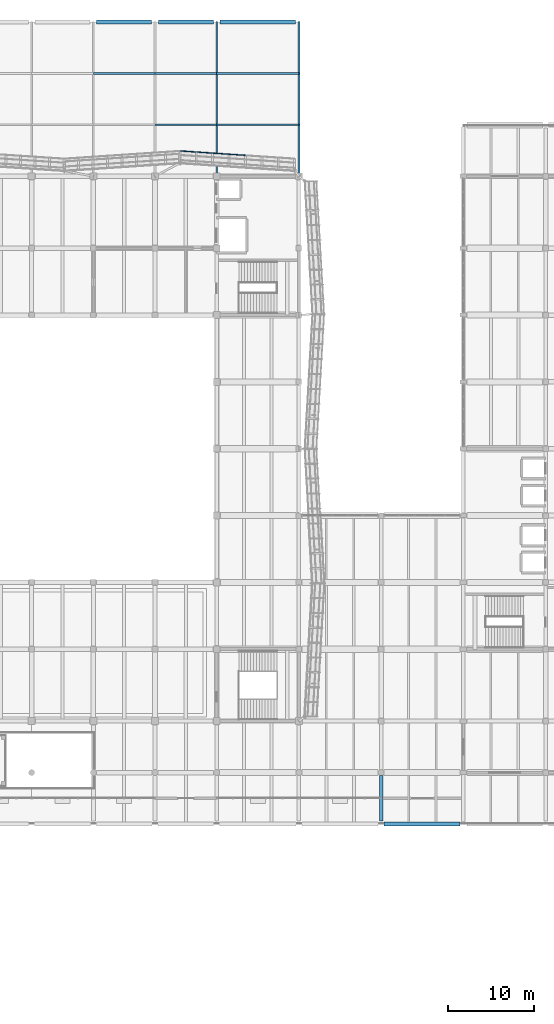
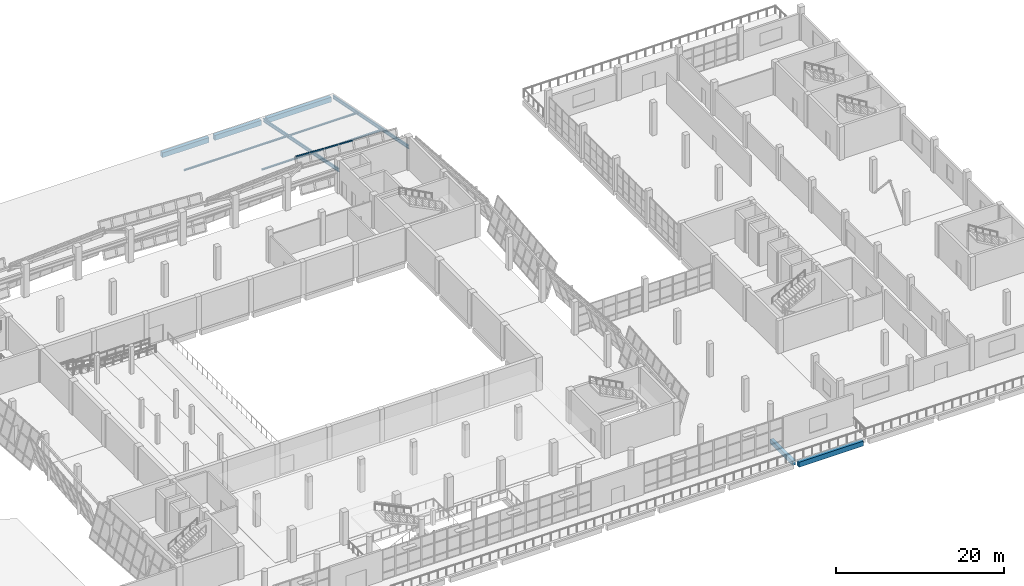
# One storey, part 32 of 79: 9 members, 7 beams, 1 element without a shape of its own.
"""IFC4 building model written with IfcOpenShell, lengths in metres."""

from ifc_helpers import new_model, si_unit, direction, frame, origin, origin_2d, place, context, subcontext, project, spatial, rectangle, hollow_rectangle, i_section, extrude, material, material_profile, profile_set, type_object, element, aggregate, save


model = new_model("IFC4")

# Units and contexts
model_context = context("Model", 3, precision=1e-05, world=origin(), true_north=direction((0.0, 1.0)))
body_context = subcontext(model_context, "Body", "Model", "MODEL_VIEW")
ifc_project = project(units=[si_unit("LENGTHUNIT", "METRE"), si_unit("AREAUNIT", "SQUARE_METRE"), si_unit("VOLUMEUNIT", "CUBIC_METRE"), si_unit("PLANEANGLEUNIT", "RADIAN"), si_unit("MASSUNIT", "GRAM", prefix="KILO")], contexts=[model_context])

# Site, building, storey
site_placement = place(None, origin())
site = spatial("IfcSite", under=ifc_project, at=site_placement, CompositionType="ELEMENT")
building_placement = place(site_placement, origin())
building = spatial("IfcBuilding", under=site, at=building_placement, Name="Pellamere Symphony Hall", CompositionType="ELEMENT")
storey_placement = place(building_placement, frame((0.0, 0.0, 10.199951171875)))
storey = spatial("IfcBuildingStorey", under=building, at=storey_placement, Name="L02", CompositionType="ELEMENT", Elevation=10.199951171875)

# Curtain wall, members
ifc_material_1 = material(Name="Thermally Broken Anodised Aluminium 6063-T6 Curtain Wall", Category="aluminium")
curtain_wall_type = type_object("IfcCurtainWallType", Name="Curtain Wall CW-01 (Tilted Faceted Crystal Low-Iron Curtain Wall)", PredefinedType="NOTDEFINED", material=ifc_material_1)
curtain_wall_placement = place(storey_placement, origin())
curtain_wall = element("IfcCurtainWall", 1, at=curtain_wall_placement, inside=storey, type_object=curtain_wall_type, Name="Crystal Faceted Curtain Wall CW-CR10 (L02)", PredefinedType="NOTDEFINED")
ifc_material_2 = material(Name="Anodised Architectural Aluminium 6063-T6", Category="aluminium")
ifc_material_profile_1 = material_profile(ifc_material_2, hollow_rectangle(XDim=0.074951171875, YDim=0.179931640625, WallThickness=0.0048828125, at=origin_2d()), Name="ALU-T75X180X5")
ifc_profile_set_1 = profile_set([ifc_material_profile_1], Name="Anodised Architectural Aluminium 6063-T6")
member_type_1 = type_object("IfcMemberType", Name="Curtain Wall Transom TR-01 ALU-T75X180X5", PredefinedType="USERDEFINED", material=ifc_profile_set_1)
member_1_placement = place(storey_placement, frame((112.519775390625, 96.04931640625, 4.76416015625), z_axis=(-0.997752815695, 0.067002378864, 0.0), x_axis=(-0.067002378864, -0.997752815695, 0.0)))
member_1 = element("IfcMember", 2, at=member_1_placement, type_object=member_type_1, Name="CW1-022 crystal transom 4.4", ObjectType="TRANSOM", PredefinedType="USERDEFINED", context=body_context, shape_type="SweptSolid", body=[
    extrude(hollow_rectangle(XDim=0.074951171875, YDim=0.179931640625, WallThickness=0.0048828125, at=origin_2d()), origin(), (0.0, 0.0, 1.0), 1.84375),
])
member_2_placement = place(storey_placement, frame((110.60546875, 96.177978515625, 4.76416015625), z_axis=(-0.997752815695, 0.067002378864, 0.0), x_axis=(-0.067002378864, -0.997752815695, 0.0)))
member_2 = element("IfcMember", 3, at=member_2_placement, type_object=member_type_1, Name="CW1-022 crystal transom 5.4", ObjectType="TRANSOM", PredefinedType="USERDEFINED", context=body_context, shape_type="SweptSolid", body=[
    extrude(hollow_rectangle(XDim=0.074951171875, YDim=0.179931640625, WallThickness=0.0048828125, at=origin_2d()), origin(), (0.0, 0.0, 1.0), 1.84375),
])
member_3_placement = place(storey_placement, frame((108.691162109375, 96.306640625, 4.76416015625), z_axis=(-0.99775222112, 0.067011232265, 0.0), x_axis=(-0.067011232265, -0.99775222112, 0.0)))
member_3 = element("IfcMember", 4, at=member_3_placement, type_object=member_type_1, Name="CW1-022 crystal transom 6.4", ObjectType="TRANSOM", PredefinedType="USERDEFINED", context=body_context, shape_type="SweptSolid", body=[
    extrude(hollow_rectangle(XDim=0.074951171875, YDim=0.179931640625, WallThickness=0.0048828125, at=origin_2d()), origin(), (0.0, 0.0, 1.0), 1.843505859375),
])
member_4_placement = place(storey_placement, frame((106.77685546875, 96.43505859375, 4.76416015625), z_axis=(-0.997749727577, 0.067048349123, 0.0), x_axis=(-0.067048349123, -0.997749727577, 0.0)))
member_4 = element("IfcMember", 5, at=member_4_placement, type_object=member_type_1, Name="CW1-022 crystal transom 7.4", ObjectType="TRANSOM", PredefinedType="USERDEFINED", context=body_context, shape_type="SweptSolid", body=[
    extrude(hollow_rectangle(XDim=0.074951171875, YDim=0.179931640625, WallThickness=0.0048828125, at=origin_2d()), origin(), (0.0, 0.0, 1.0), 1.80615234375),
])
aggregate(curtain_wall, [member_1, member_2, member_3, member_4])

# Beams
ifc_material_3 = material(Name="Concrete 40 MPa", Category="concrete")
ifc_material_profile_2 = material_profile(ifc_material_3, rectangle(XDim=0.449951171875, YDim=0.64990234375, at=origin_2d()), Name="RC 450x650")
ifc_profile_set_2 = profile_set([ifc_material_profile_2], Name="Concrete 40 MPa")
beam_type_1 = type_object("IfcBeamType", Name="RC CB-08 450x650", PredefinedType="BEAM", material=ifc_profile_set_2)
beam_1_placement = place(storey_placement, frame((128.39990234375, 18.35009765625, -0.60498046875), z_axis=(0.0, 1.0, 0.0), x_axis=(-1.0, 0.0, 0.0)))
element("IfcBeam", 6, at=beam_1_placement, inside=storey, type_object=beam_type_1, Name="Girder CB-08-Y1338 (L02)", PredefinedType="BEAM", context=body_context, shape_type="SweptSolid", body=[
    extrude(rectangle(XDim=0.449951171875, YDim=0.64990234375, at=origin_2d()), origin(), (0.0, 0.0, 1.0), 5.2998046875),
])
ifc_material_profile_3 = material_profile(ifc_material_3, rectangle(XDim=0.47998046875, YDim=0.719970703125, at=origin_2d()), Name="RC 480x720")
ifc_profile_set_3 = profile_set([ifc_material_profile_3], Name="Concrete 40 MPa")
beam_type_2 = type_object("IfcBeamType", Name="RC CB-14 480x720", PredefinedType="SPANDREL", material=ifc_profile_set_3)
beam_2_placement = place(storey_placement, frame((128.75, 18.0, -0.639892578125), z_axis=(1.0, 0.0, 0.0), x_axis=(0.0, 1.0, 0.0)))
element("IfcBeam", 7, at=beam_2_placement, inside=storey, type_object=beam_type_2, Name="Girder CB-14-X1051 (L02)", PredefinedType="SPANDREL", context=body_context, shape_type="SweptSolid", body=[
    extrude(rectangle(XDim=0.47998046875, YDim=0.719970703125, at=origin_2d()), origin(), (0.0, 0.0, 1.0), 8.85009765625),
])
for number, where, z_axis, x_axis, name in (
    (8, (95.18994140625, 111.60009765625, -0.639892578125), (1.0, 0.0, 0.0), (0.0, 1.0, 0.0), "Girder CB-14-X1210 (L02)"),
    (9, (102.389892578125, 111.60009765625, -0.639892578125), (1.0, 0.0, 0.0), (0.0, 1.0, 0.0), "Girder CB-14-X1211 (L02)"),
):
    element("IfcBeam", number, at=place(storey_placement, frame(where, z_axis=z_axis, x_axis=x_axis)), inside=storey, type_object=beam_type_2, Name=name, PredefinedType="SPANDREL", context=body_context, shape_type="SweptSolid", body=[
        extrude(rectangle(XDim=0.47998046875, YDim=0.719970703125, at=origin_2d()), origin(), (0.0, 0.0, 1.0), 6.420166015625),
    ])
beam_3_placement = place(storey_placement, frame((109.590087890625, 111.60009765625, -0.639892578125), z_axis=(1.0, 0.0, 0.0), x_axis=(0.0, 1.0, 0.0)))
element("IfcBeam", 10, at=beam_3_placement, inside=storey, type_object=beam_type_2, Name="Girder CB-14-X1212 (L02)", PredefinedType="SPANDREL", context=body_context, shape_type="SweptSolid", body=[
    extrude(rectangle(XDim=0.47998046875, YDim=0.719970703125, at=origin_2d()), origin(), (0.0, 0.0, 1.0), 8.81982421875),
])
ifc_material_4 = material(Name="Steel CSA G40.21 350W", Category="steel")
ifc_material_profile_4 = material_profile(ifc_material_4, i_section(OverallWidth=0.194091796875, OverallDepth=0.468994140625, WebThickness=0.011474609375, FlangeThickness=0.019287109375, at=origin_2d()), Name="W460X106")
ifc_profile_set_4 = profile_set([ifc_material_profile_4], Name="Steel CSA G40.21 350W")
beam_type_3 = type_object("IfcBeamType", Name="Steel Beam SB-16 W460X106", PredefinedType="BEAM", material=ifc_profile_set_4)
for number, where, z_axis, x_axis, name in (
    (11, (109.199951171875, 93.60009765625, 3.10009765625), (0.0, 0.980788871826, -0.195072265848), (-1.0, 0.0, 0.0), "Rehearsal Roof Steel Rafter 09"),
    (12, (118.800048828125, 93.60009765625, 3.10009765625), (0.0, 0.980788871826, -0.195072265848), (-1.0, 0.0, 0.0), "Rehearsal Roof Steel Rafter 10"),
):
    element("IfcBeam", number, at=place(storey_placement, frame(where, z_axis=z_axis, x_axis=x_axis)), inside=storey, type_object=beam_type_3, Name=name, PredefinedType="BEAM", context=body_context, shape_type="SweptSolid", body=[
        extrude(i_section(OverallWidth=0.194091796875, OverallDepth=0.468994140625, WebThickness=0.011474609375, FlangeThickness=0.019287109375, at=origin_2d()), origin(), (0.0, 0.0, 1.0), 18.3525390625),
    ])

# Members
ifc_material_profile_5 = material_profile(ifc_material_4, i_section(OverallWidth=0.2041015625, OverallDepth=0.2060546875, WebThickness=0.0078125, FlangeThickness=0.0126953125, at=origin_2d()), Name="W200X52")
ifc_profile_set_5 = profile_set([ifc_material_profile_5], Name="Steel CSA G40.21 350W")
member_type_2 = type_object("IfcMemberType", Name="Steel Member SM-15 W200X52", PredefinedType="PURLIN", material=ifc_profile_set_5)
for number, where, z_axis, x_axis, name in (
    (13, (94.800048828125, 105.60009765625, 0.840087890625), (1.0, 0.0, 0.0), (0.0, 1.0, 0.0), "Rehearsal Roof Steel Purlin 7.105"),
    (14, (102.0, 99.60009765625, 2.0400390625), (1.0, 0.0, 0.0), (0.0, 1.0, 0.0), "Rehearsal Roof Steel Purlin 8.99"),
    (15, (102.0, 105.60009765625, 0.840087890625), (1.0, 0.0, 0.0), (0.0, 1.0, 0.0), "Rehearsal Roof Steel Purlin 8.105"),
):
    element("IfcMember", number, at=place(storey_placement, frame(where, z_axis=z_axis, x_axis=x_axis)), inside=storey, type_object=member_type_2, Name=name, PredefinedType="PURLIN", context=body_context, shape_type="SweptSolid", body=[
        extrude(i_section(OverallWidth=0.2041015625, OverallDepth=0.2060546875, WebThickness=0.0078125, FlangeThickness=0.0126953125, at=origin_2d()), origin(), (0.0, 0.0, 1.0), 7.199951171875),
    ])
for number, where, z_axis, x_axis, name in (
    (16, (109.199951171875, 99.60009765625, 2.0400390625), (1.0, 0.0, 0.0), (0.0, 1.0, 0.0), "Rehearsal Roof Steel Purlin 9.99"),
    (17, (109.199951171875, 105.60009765625, 0.840087890625), (1.0, 0.0, 0.0), (0.0, 1.0, 0.0), "Rehearsal Roof Steel Purlin 9.105"),
):
    element("IfcMember", number, at=place(storey_placement, frame(where, z_axis=z_axis, x_axis=x_axis)), inside=storey, type_object=member_type_2, Name=name, PredefinedType="PURLIN", context=body_context, shape_type="SweptSolid", body=[
        extrude(i_section(OverallWidth=0.2041015625, OverallDepth=0.2060546875, WebThickness=0.0078125, FlangeThickness=0.0126953125, at=origin_2d()), origin(), (0.0, 0.0, 1.0), 9.60009765625),
    ])

save(model, "model.ifc")
